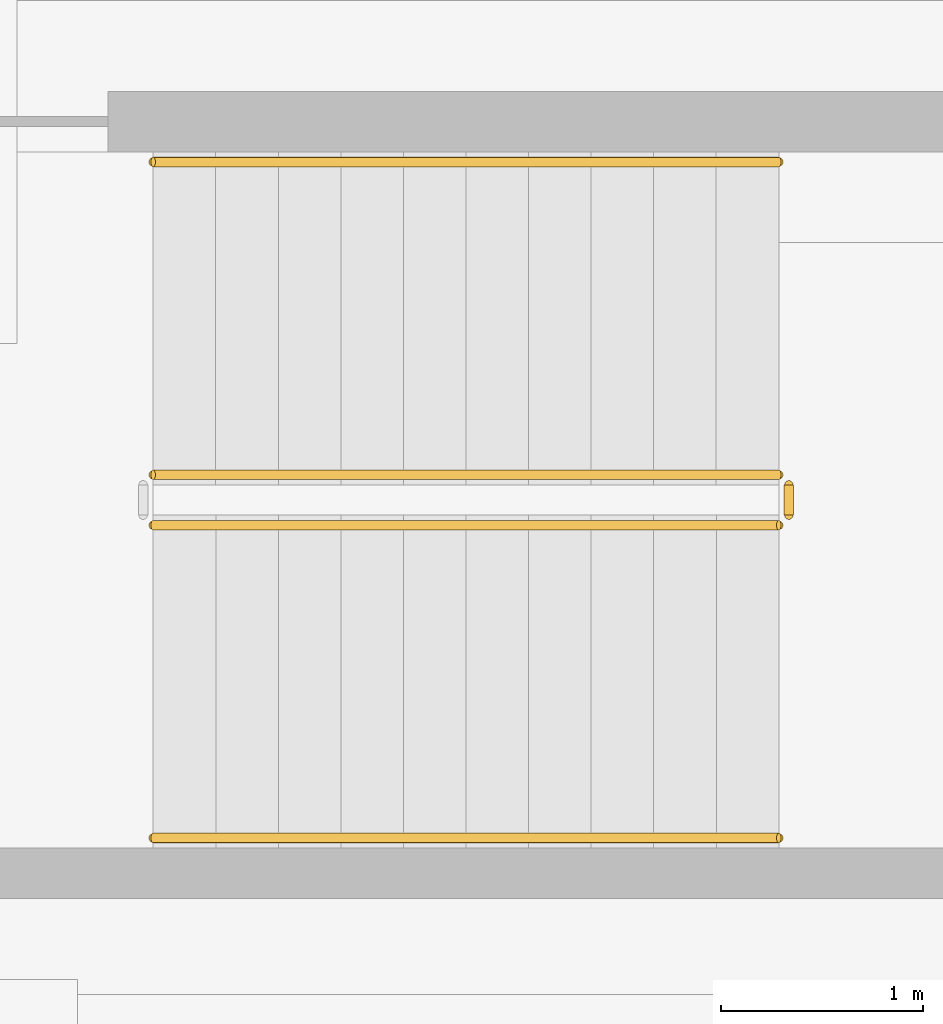
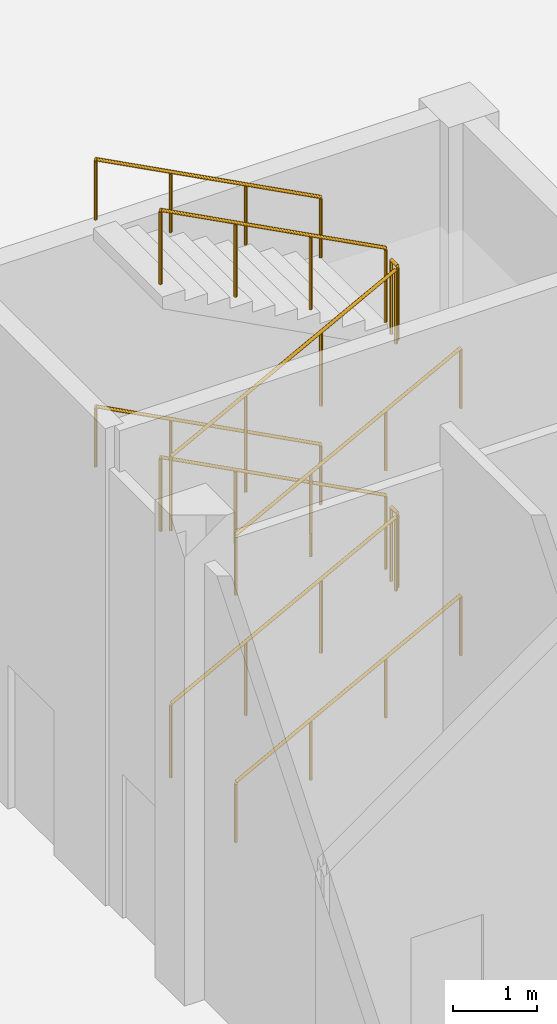
# One storey, part 29 of 30: 10 railings.
"""IFC4 building model written with IfcOpenShell, lengths in metres."""

from ifc_helpers import new_model, si_unit, direction, frame, origin, origin_2d, place, context, subcontext, project, spatial, circle, extrude, material, type_object, element, save


model = new_model("IFC4")

# Units and contexts
model_context = context("Model", 3, precision=1e-05, world=origin(), true_north=direction((0.0, 1.0)))
body_context = subcontext(model_context, "Body", "Model", "MODEL_VIEW")
ifc_project = project(units=[si_unit("LENGTHUNIT", "METRE"), si_unit("AREAUNIT", "SQUARE_METRE"), si_unit("VOLUMEUNIT", "CUBIC_METRE"), si_unit("PLANEANGLEUNIT", "RADIAN"), si_unit("MASSUNIT", "GRAM", prefix="KILO")], contexts=[model_context])

# Site, building, storey
site_placement = place(None, origin())
site = spatial("IfcSite", under=ifc_project, at=site_placement, CompositionType="ELEMENT")
building_placement = place(site_placement, origin())
building = spatial("IfcBuilding", under=site, at=building_placement, Name="Corbel Stack Research Tower", CompositionType="ELEMENT")
storey_placement = place(building_placement, origin())
storey = spatial("IfcBuildingStorey", under=building, at=storey_placement, Name="L00", CompositionType="ELEMENT", Elevation=0.0)

# Railings
ifc_material_1 = material(Name="Steel S235", Category="steel")
railing_type_1 = type_object("IfcRailingType", Name="HR1 guard 1100", PredefinedType="GUARDRAIL", material=ifc_material_1)
railing_1_placement = place(storey_placement, frame((95.47509765625, 21.64990234375, 0.16357421875)))
element("IfcRailing", 1, at=railing_1_placement, inside=storey, type_object=railing_type_1, Name="L00 HS2 stair guard 1", PredefinedType="GUARDRAIL", context=body_context, shape_type="SweptSolid", body=[
    extrude(circle(Radius=0.02392578125, at=origin_2d()), frame((0.0, 0.0, 1.076171875), z_axis=(0.884332836415, 0.0, 0.466856974284), x_axis=(0.0, 1.0, 0.0)), (0.0, 0.0, 1.0), 3.50537109375),
    extrude(circle(Radius=0.02099609375, at=origin_2d()), origin(), (0.0, 0.0, 1.0), 1.052001953125),
    extrude(circle(Radius=0.02099609375, at=origin_2d()), frame((1.033203125, 0.0, 0.54541015625)), (0.0, 0.0, 1.0), 1.052001953125),
    extrude(circle(Radius=0.02099609375, at=origin_2d()), frame((2.066650390625, 0.0, 1.091064453125)), (0.0, 0.0, 1.0), 1.052001953125),
    extrude(circle(Radius=0.02099609375, at=origin_2d()), frame((3.099853515625, 0.0, 1.636474609375)), (0.0, 0.0, 1.0), 1.052001953125),
])
railing_2_placement = place(storey_placement, frame((98.625, 21.699951171875, 1.800048828125)))
element("IfcRailing", 2, at=railing_2_placement, inside=storey, type_object=railing_type_1, Name="L00 HS2 stair guard 2", PredefinedType="GUARDRAIL", context=body_context, shape_type="SweptSolid", body=[
    extrude(circle(Radius=0.02392578125, at=origin_2d()), frame((0.0, 0.0, 1.076171875), z_axis=(0.0, 1.0, 0.0), x_axis=(-1.0, 0.0, 0.0)), (0.0, 0.0, 1.0), 0.150146484375),
    extrude(circle(Radius=0.02099609375, at=origin_2d()), origin(), (0.0, 0.0, 1.0), 1.052001953125),
    extrude(circle(Radius=0.02099609375, at=origin_2d()), frame((0.0, 0.150146484375, 0.0)), (0.0, 0.0, 1.0), 1.052001953125),
])
railing_3_placement = place(storey_placement, frame((98.574951171875, 21.89990234375, 1.963623046875)))
element("IfcRailing", 3, at=railing_3_placement, inside=storey, type_object=railing_type_1, Name="L00 HS2 stair guard 3", PredefinedType="GUARDRAIL", context=body_context, shape_type="SweptSolid", body=[
    extrude(circle(Radius=0.02392578125, at=origin_2d()), frame((0.0, 0.0, 1.076171875), z_axis=(-0.884332836415, 0.0, 0.466856974284), x_axis=(0.0, -1.0, 0.0)), (0.0, 0.0, 1.0), 3.50537109375),
    extrude(circle(Radius=0.02099609375, at=origin_2d()), origin(), (0.0, 0.0, 1.0), 1.052001953125),
    extrude(circle(Radius=0.02099609375, at=origin_2d()), frame((-1.033203125, 0.0, 0.54541015625)), (0.0, 0.0, 1.0), 1.052001953125),
    extrude(circle(Radius=0.02099609375, at=origin_2d()), frame((-2.066650390625, 0.0, 1.091064453125)), (0.0, 0.0, 1.0), 1.052001953125),
    extrude(circle(Radius=0.02099609375, at=origin_2d()), frame((-3.099853515625, 0.0, 1.636474609375)), (0.0, 0.0, 1.0), 1.052001953125),
])
railing_4_placement = place(storey_placement, frame((95.47509765625, 21.64990234375, 3.763671875)))
element("IfcRailing", 4, at=railing_4_placement, inside=storey, type_object=railing_type_1, Name="L00 HS2 stair guard 5", PredefinedType="GUARDRAIL", context=body_context, shape_type="SweptSolid", body=[
    extrude(circle(Radius=0.02392578125, at=origin_2d()), frame((0.0, 0.0, 1.076171875), z_axis=(0.88436159073, 0.0, 0.466802503038), x_axis=(0.0, 1.0, 0.0)), (0.0, 0.0, 1.0), 3.505126953125),
    extrude(circle(Radius=0.02099609375, at=origin_2d()), origin(), (0.0, 0.0, 1.0), 1.052001953125),
    extrude(circle(Radius=0.02099609375, at=origin_2d()), frame((1.033203125, 0.0, 0.54541015625)), (0.0, 0.0, 1.0), 1.052001953125),
    extrude(circle(Radius=0.02099609375, at=origin_2d()), frame((2.066650390625, 0.0, 1.0908203125)), (0.0, 0.0, 1.0), 1.052001953125),
    extrude(circle(Radius=0.02099609375, at=origin_2d()), frame((3.099853515625, 0.0, 1.63623046875)), (0.0, 0.0, 1.0), 1.052001953125),
])
railing_5_placement = place(storey_placement, frame((98.625, 21.699951171875, 5.39990234375)))
element("IfcRailing", 5, at=railing_5_placement, inside=storey, type_object=railing_type_1, Name="L00 HS2 stair guard 6", PredefinedType="GUARDRAIL", context=body_context, shape_type="SweptSolid", body=[
    extrude(circle(Radius=0.02392578125, at=origin_2d()), frame((0.0, 0.0, 1.076171875), z_axis=(0.0, 1.0, 0.0), x_axis=(-1.0, 0.0, 0.0)), (0.0, 0.0, 1.0), 0.150146484375),
    extrude(circle(Radius=0.02099609375, at=origin_2d()), origin(), (0.0, 0.0, 1.0), 1.052001953125),
    extrude(circle(Radius=0.02099609375, at=origin_2d()), frame((0.0, 0.150146484375, 0.0)), (0.0, 0.0, 1.0), 1.052001953125),
])
railing_6_placement = place(storey_placement, frame((98.574951171875, 21.89990234375, 5.563720703125)))
element("IfcRailing", 6, at=railing_6_placement, inside=storey, type_object=railing_type_1, Name="L00 HS2 stair guard 7", PredefinedType="GUARDRAIL", context=body_context, shape_type="SweptSolid", body=[
    extrude(circle(Radius=0.02392578125, at=origin_2d()), frame((0.0, 0.0, 1.076171875), z_axis=(-0.88436159073, 0.0, 0.466802503038), x_axis=(0.0, -1.0, 0.0)), (0.0, 0.0, 1.0), 3.505126953125),
    extrude(circle(Radius=0.02099609375, at=origin_2d()), origin(), (0.0, 0.0, 1.0), 1.052001953125),
    extrude(circle(Radius=0.02099609375, at=origin_2d()), frame((-1.033203125, 0.0, 0.54541015625)), (0.0, 0.0, 1.0), 1.052001953125),
    extrude(circle(Radius=0.02099609375, at=origin_2d()), frame((-2.066650390625, 0.0, 1.0908203125)), (0.0, 0.0, 1.0), 1.052001953125),
    extrude(circle(Radius=0.02099609375, at=origin_2d()), frame((-3.099853515625, 0.0, 1.63623046875)), (0.0, 0.0, 1.0), 1.052001953125),
])
ifc_material_2 = material(Name="Steel S235", Category="steel")
railing_type_2 = type_object("IfcRailingType", Name="HR2 handrail 900", PredefinedType="HANDRAIL", material=ifc_material_2)
railing_7_placement = place(storey_placement, frame((95.47509765625, 20.10009765625, 0.16357421875)))
element("IfcRailing", 7, at=railing_7_placement, inside=storey, type_object=railing_type_2, Name="L00 HS2 stair handrail 1", PredefinedType="HANDRAIL", context=body_context, shape_type="SweptSolid", body=[
    extrude(circle(Radius=0.02392578125, at=origin_2d()), frame((0.0, 0.0, 0.8759765625), z_axis=(0.884332836415, 0.0, 0.466856974284), x_axis=(0.0, 1.0, 0.0)), (0.0, 0.0, 1.0), 3.50537109375),
    extrude(circle(Radius=0.02099609375, at=origin_2d()), origin(), (0.0, 0.0, 1.0), 0.851806640625),
    extrude(circle(Radius=0.02099609375, at=origin_2d()), frame((1.033203125, 0.0, 0.54541015625)), (0.0, 0.0, 1.0), 0.851806640625),
    extrude(circle(Radius=0.02099609375, at=origin_2d()), frame((2.066650390625, 0.0, 1.091064453125)), (0.0, 0.0, 1.0), 0.851806640625),
    extrude(circle(Radius=0.02099609375, at=origin_2d()), frame((3.099853515625, 0.0, 1.636474609375)), (0.0, 0.0, 1.0), 0.851806640625),
])
railing_8_placement = place(storey_placement, frame((98.574951171875, 23.449951171875, 1.963623046875)))
element("IfcRailing", 8, at=railing_8_placement, inside=storey, type_object=railing_type_2, Name="L00 HS2 stair handrail 2", PredefinedType="HANDRAIL", context=body_context, shape_type="SweptSolid", body=[
    extrude(circle(Radius=0.02392578125, at=origin_2d()), frame((0.0, 0.0, 0.8759765625), z_axis=(-0.884332836415, 0.0, 0.466856974284), x_axis=(0.0, -1.0, 0.0)), (0.0, 0.0, 1.0), 3.50537109375),
    extrude(circle(Radius=0.02099609375, at=origin_2d()), origin(), (0.0, 0.0, 1.0), 0.851806640625),
    extrude(circle(Radius=0.02099609375, at=origin_2d()), frame((-1.033203125, 0.0, 0.54541015625)), (0.0, 0.0, 1.0), 0.851806640625),
    extrude(circle(Radius=0.02099609375, at=origin_2d()), frame((-2.066650390625, 0.0, 1.091064453125)), (0.0, 0.0, 1.0), 0.851806640625),
    extrude(circle(Radius=0.02099609375, at=origin_2d()), frame((-3.099853515625, 0.0, 1.636474609375)), (0.0, 0.0, 1.0), 0.851806640625),
])
railing_9_placement = place(storey_placement, frame((95.47509765625, 20.10009765625, 3.763671875)))
element("IfcRailing", 9, at=railing_9_placement, inside=storey, type_object=railing_type_2, Name="L00 HS2 stair handrail 3", PredefinedType="HANDRAIL", context=body_context, shape_type="SweptSolid", body=[
    extrude(circle(Radius=0.02392578125, at=origin_2d()), frame((0.0, 0.0, 0.8759765625), z_axis=(0.88436159073, 0.0, 0.466802503038), x_axis=(0.0, 1.0, 0.0)), (0.0, 0.0, 1.0), 3.505126953125),
    extrude(circle(Radius=0.02099609375, at=origin_2d()), origin(), (0.0, 0.0, 1.0), 0.851806640625),
    extrude(circle(Radius=0.02099609375, at=origin_2d()), frame((1.033203125, 0.0, 0.54541015625)), (0.0, 0.0, 1.0), 0.851806640625),
    extrude(circle(Radius=0.02099609375, at=origin_2d()), frame((2.066650390625, 0.0, 1.0908203125)), (0.0, 0.0, 1.0), 0.851806640625),
    extrude(circle(Radius=0.02099609375, at=origin_2d()), frame((3.099853515625, 0.0, 1.63623046875)), (0.0, 0.0, 1.0), 0.851806640625),
])
railing_10_placement = place(storey_placement, frame((98.574951171875, 23.449951171875, 5.563720703125)))
element("IfcRailing", 10, at=railing_10_placement, inside=storey, type_object=railing_type_2, Name="L00 HS2 stair handrail 4", PredefinedType="HANDRAIL", context=body_context, shape_type="SweptSolid", body=[
    extrude(circle(Radius=0.02392578125, at=origin_2d()), frame((0.0, 0.0, 0.8759765625), z_axis=(-0.88436159073, 0.0, 0.466802503038), x_axis=(0.0, -1.0, 0.0)), (0.0, 0.0, 1.0), 3.505126953125),
    extrude(circle(Radius=0.02099609375, at=origin_2d()), origin(), (0.0, 0.0, 1.0), 0.851806640625),
    extrude(circle(Radius=0.02099609375, at=origin_2d()), frame((-1.033203125, 0.0, 0.54541015625)), (0.0, 0.0, 1.0), 0.851806640625),
    extrude(circle(Radius=0.02099609375, at=origin_2d()), frame((-2.066650390625, 0.0, 1.0908203125)), (0.0, 0.0, 1.0), 0.851806640625),
    extrude(circle(Radius=0.02099609375, at=origin_2d()), frame((-3.099853515625, 0.0, 1.63623046875)), (0.0, 0.0, 1.0), 0.851806640625),
])

save(model, "model.ifc")
